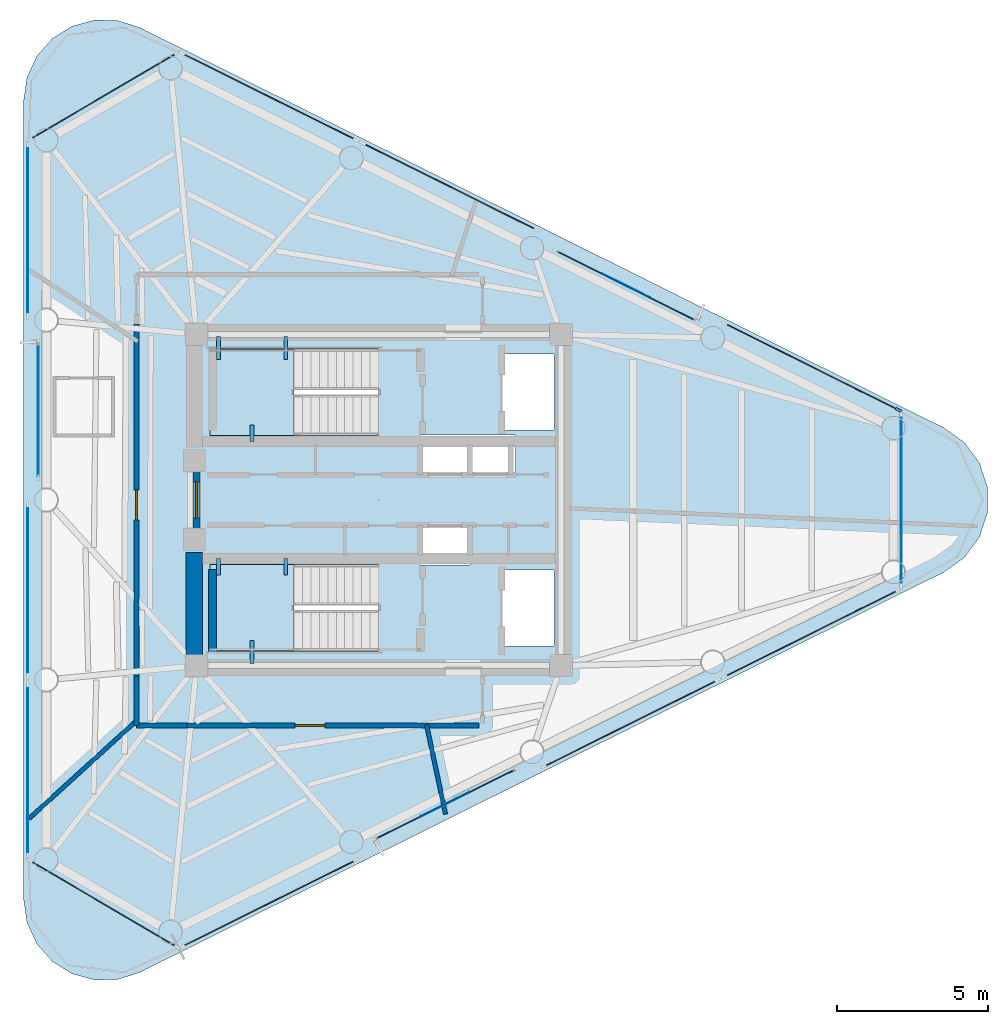
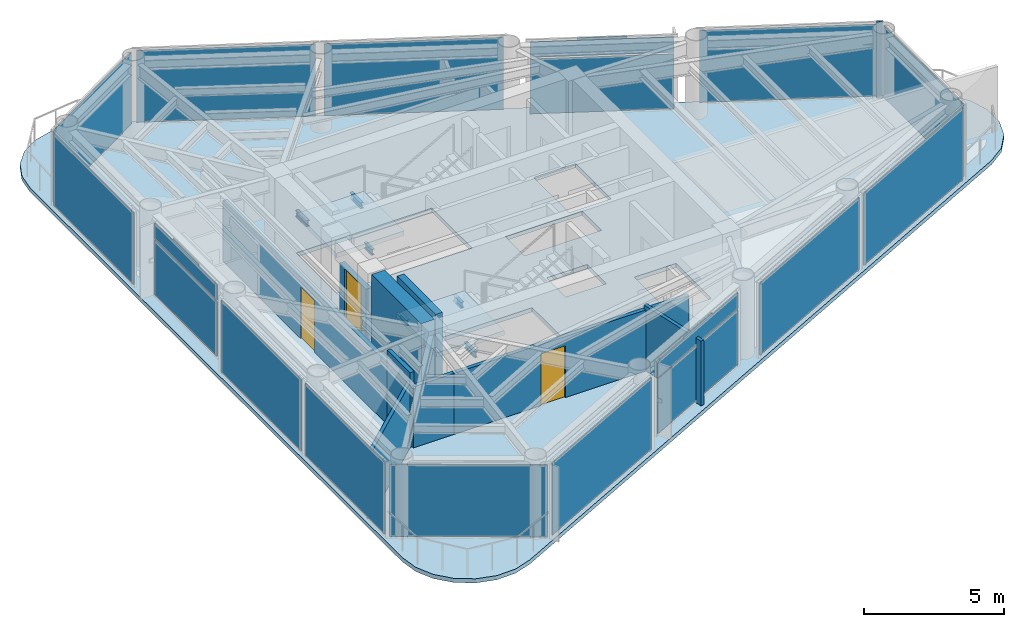
# One storey, part 4 of 10: 21 plates, 9 walls, 6 beams, 3 doors, 3 slabs, 1 member, 3 openings, 17 elements without a shape of their own.
"""IFC4 building model written with IfcOpenShell, lengths in metres."""

from ifc_helpers import new_model, si_unit, direction, frame, frame_2d, origin, origin_2d, place, context, subcontext, project, spatial, polyline, rectangle, i_section, outline, extrude, source, transform, mapped, material, layer, layer_set, material_profile, profile_set, type_object, element, fill, aggregate, save


model = new_model("IFC4")

# Units and contexts
model_context = context("Model", 3, precision=1e-05, world=origin(), true_north=direction((0.0, 1.0)))
body_context = subcontext(model_context, "Body", "Model", "MODEL_VIEW")
ifc_project = project(units=[si_unit("LENGTHUNIT", "METRE"), si_unit("AREAUNIT", "SQUARE_METRE"), si_unit("VOLUMEUNIT", "CUBIC_METRE"), si_unit("PLANEANGLEUNIT", "RADIAN"), si_unit("MASSUNIT", "GRAM", prefix="KILO")], contexts=[model_context])

# Site, building, storey
site_placement = place(None, origin())
site = spatial("IfcSite", under=ifc_project, at=site_placement, CompositionType="ELEMENT")
building_placement = place(site_placement, origin())
building = spatial("IfcBuilding", under=site, at=building_placement, Name="Yunling Apex Tower", CompositionType="ELEMENT")
storey_placement = place(building_placement, frame((0.0, 0.0, 289.85009765625)))
storey = spatial("IfcBuildingStorey", under=building, at=storey_placement, Name="L70", CompositionType="ELEMENT", Elevation=289.85009765625)

# Beams
ifc_material_1 = material(Name="Steel Q355B", Category="steel")
ifc_material_profile_1 = material_profile(ifc_material_1, i_section(OverallWidth=0.125, OverallDepth=0.25, WebThickness=0.006103515625, FlangeThickness=0.009033203125, FilletRadius=0.011962890625, at=origin_2d()))
ifc_profile_set_1 = profile_set([ifc_material_profile_1], Name="Steel Q355B")
beam_type = type_object("IfcBeamType", Name="BL-LNT-1", PredefinedType="LINTEL", material=ifc_profile_set_1)
shared_shape_1 = source(origin(), body_context, "Body", "SweptSolid", [
    extrude(i_section(OverallWidth=0.125, OverallDepth=0.25, WebThickness=0.006103515625, FlangeThickness=0.009033203125, FilletRadius=0.011962890625, at=origin_2d()), origin(), (0.0, 0.0, 1.0), 0.760009765625),
])
for number, where, z_axis, x_axis, name in (
    (1, (-5.320068359375, 5.419921875, 1.40478515625), (0.0, -1.0, 0.0), (1.0, 0.0, 0.0), "L70 ST-1 Landing Bearing Corbel 1-1"),
    (2, (-3.090087890625, 5.419921875, 1.40478515625), (0.0, -1.0, 0.0), (1.0, 0.0, 0.0), "L70 ST-1 Landing Bearing Corbel 1-2"),
    (3, (-4.205078125, -5.419921875, 1.40478515625), (0.0, 1.0, 0.0), (-1.0, 0.0, 0.0), "L70 ST-2 Landing Bearing Corbel 1-3"),
):
    element("IfcBeam", number, at=place(storey_placement, frame(where, z_axis=z_axis, x_axis=x_axis)), inside=storey, type_object=beam_type, Name=name, PredefinedType="LINTEL", context=body_context, shape_type="MappedRepresentation", body=[
        mapped(shared_shape_1, transform((0.0, 0.0, 0.0), scale=1.0)),
    ])
shared_shape_2 = source(origin(), body_context, "Body", "SweptSolid", [
    extrude(i_section(OverallWidth=0.125, OverallDepth=0.25, WebThickness=0.006103515625, FlangeThickness=0.009033203125, FilletRadius=0.011962890625, at=origin_2d()), origin(), (0.0, 0.0, 1.0), 0.550048828125),
])
for number, where, z_axis, x_axis, name in (
    (4, (-4.205078125, 1.93994140625, 1.40478515625), (0.0, 1.0, 0.0), (-1.0, 0.0, 0.0), "L70 ST-1 Landing Bearing Corbel 1-3"),
    (5, (-5.320068359375, -1.93994140625, 1.40478515625), (0.0, -1.0, 0.0), (1.0, 0.0, 0.0), "L70 ST-2 Landing Bearing Corbel 1-1"),
    (6, (-3.090087890625, -1.93994140625, 1.40478515625), (0.0, -1.0, 0.0), (1.0, 0.0, 0.0), "L70 ST-2 Landing Bearing Corbel 1-2"),
):
    element("IfcBeam", number, at=place(storey_placement, frame(where, z_axis=z_axis, x_axis=x_axis)), inside=storey, type_object=beam_type, Name=name, PredefinedType="LINTEL", context=body_context, shape_type="MappedRepresentation", body=[
        mapped(shared_shape_2, transform((0.0, 0.0, 0.0), scale=1.0)),
    ])

# Curtain wall, member
ifc_material_2 = material(Name="Bronze anodised aluminium", Category="aluminium")
ifc_layer_1 = layer(ifc_material_2, 0.219970703125)
ifc_layer_set_1 = layer_set([ifc_layer_1], Name="Bronze anodised aluminium")
curtain_wall_type = type_object("IfcCurtainWallType", Name="CW-SYS-4", PredefinedType="NOTDEFINED", material=ifc_layer_set_1)
curtain_wall_1_placement = place(storey_placement, origin())
curtain_wall_1 = element("IfcCurtainWall", 7, at=curtain_wall_1_placement, inside=storey, type_object=curtain_wall_type, Name="CW-L70-F2-B1", PredefinedType="NOTDEFINED")
ifc_material_profile_2 = material_profile(ifc_material_2, rectangle(XDim=0.080078125, YDim=0.219970703125, at=origin_2d()))
ifc_profile_set_2 = profile_set([ifc_material_profile_2], Name="Bronze anodised aluminium")
member_type = type_object("IfcMemberType", Name="CW-MUL-4", PredefinedType="MULLION", material=ifc_profile_set_2)
shared_shape_3 = source(origin(), body_context, "Body", "SweptSolid", [
    extrude(rectangle(XDim=0.080078125, YDim=0.219970703125, at=origin_2d()), origin(), (0.0, 0.0, 1.0), 3.369873046875),
])
member_placement = place(storey_placement, frame((17.2509765625, 2.990966796875, -0.050048828125), z_axis=(0.0, 0.0, 1.0), x_axis=(-0.445568135078, -0.895248030996, 0.0)))
member = element("IfcMember", 8, at=member_placement, type_object=member_type, Name="CW-SYS-4 mullion 1", PredefinedType="MULLION", context=body_context, shape_type="MappedRepresentation", body=[
    mapped(shared_shape_3, transform((0.0, 0.0, 0.0), scale=1.0)),
])

# Slab
ifc_material_3 = material(Name="Concrete C40", Category="concrete")
ifc_layer_2 = layer(ifc_material_3, 0.155029296875)
ifc_layer_set_2 = layer_set([ifc_layer_2], Name="Concrete C40")
slab_type_1 = type_object("IfcSlabType", Name="SL-FLR-3", PredefinedType="FLOOR", material=ifc_layer_set_2)
slab_1_placement = place(storey_placement, frame((0.0, 0.0, -0.18017578125)))
element("IfcSlab", 9, at=slab_1_placement, inside=storey, type_object=slab_type_1, Name="L70 Composite Tower Floor Slab", PredefinedType="FLOOR", context=body_context, shape_type="SweptSolid", body=[
    extrude(outline(polyline([(-11.787353515625, -13.2724609375), (-11.675048828125, -14.039794921875), (-11.347900390625, -14.742919921875), (-10.833251953125, -15.322998046875), (-10.173828125, -15.731201171875), (-9.42529296875, -15.93359375), (-8.650146484375, -15.913330078125), (-7.9130859375, -15.671875), (18.754150390625, -2.3994140625), (19.442138671875, -1.90771484375), (19.94287109375, -1.226318359375), (20.206298828125, -0.4228515625), (20.206298828125, 0.4228515625), (19.94287109375, 1.226318359375), (19.442138671875, 1.90771484375), (18.754150390625, 2.3994140625), (-7.9130859375, 15.671875), (-8.650146484375, 15.913330078125), (-9.42529296875, 15.93359375), (-10.173828125, 15.731201171875), (-10.833251953125, 15.322998046875), (-11.347900390625, 14.742919921875), (-11.675048828125, 14.039794921875), (-11.787353515625, 13.2724609375), (-11.787353515625, -13.2724609375)]), holes=[polyline([(4.090087890625, 4.840087890625), (5.81005859375, 4.840087890625), (5.81005859375, 2.320068359375), (4.090087890625, 2.320068359375), (4.090087890625, 4.840087890625)]), polyline([(4.090087890625, -4.840087890625), (4.090087890625, -2.320068359375), (5.81005859375, -2.320068359375), (5.81005859375, -4.840087890625), (4.090087890625, -4.840087890625)]), polyline([(4.534912109375, 0.794921875), (1.364990234375, 0.794921875), (1.364990234375, 2.1650390625), (4.534912109375, 2.1650390625), (4.534912109375, 0.794921875)]), polyline([(1.364990234375, -0.794921875), (3.034912109375, -0.794921875), (3.034912109375, -2.1650390625), (1.364990234375, -2.1650390625), (1.364990234375, -0.794921875)]), polyline([(-0.010009765625, -5.010009765625), (-5.60009765625, -5.010009765625), (-5.60009765625, -2.139892578125), (-0.010009765625, -2.139892578125), (-0.010009765625, -5.010009765625)]), polyline([(-0.010009765625, 2.139892578125), (-5.60009765625, 2.139892578125), (-5.60009765625, 5.010009765625), (-0.010009765625, 5.010009765625), (-0.010009765625, 2.139892578125)])]), origin(), (0.0, 0.0, 1.0), 0.18017578125),
])

# Stair, slab
stair_type = type_object("IfcStairType", Name="ST-TWR-3", PredefinedType="HALF_TURN_STAIR", material=ifc_material_3)
stair_1_placement = place(storey_placement, origin())
stair_1 = element("IfcStair", 10, at=stair_1_placement, inside=storey, type_object=stair_type, Name="L70 North Core Smokeproof Exit Stair ST-1", PredefinedType="HALF_TURN_STAIR")
ifc_layer_3 = layer(ifc_material_3, 0.195068359375)
ifc_layer_set_3 = layer_set([ifc_layer_3], Name="Concrete C40")
slab_type_2 = type_object("IfcSlabType", Name="SL-LND-1", PredefinedType="LANDING", material=ifc_layer_set_3)
slab_2_placement = place(storey_placement, frame((0.0, 0.0, 1.52978515625)))
slab_2 = element("IfcSlab", 11, at=slab_2_placement, type_object=slab_type_2, Name="ST-1 landing 1", PredefinedType="LANDING", context=body_context, shape_type="SweptSolid", body=[
    extrude(outline(polyline([(-2.81005859375, 5.010009765625), (-5.60009765625, 5.010009765625), (-5.60009765625, 2.139892578125), (-2.81005859375, 2.139892578125), (-2.81005859375, 5.010009765625)])), origin(), (0.0, 0.0, 1.0), 0.195068359375),
])
aggregate(stair_1, [slab_2])

stair_2_placement = place(storey_placement, origin())
stair_2 = element("IfcStair", 12, at=stair_2_placement, inside=storey, type_object=stair_type, Name="L70 South Core Smokeproof Exit Stair ST-2", PredefinedType="HALF_TURN_STAIR")
slab_3_placement = place(storey_placement, frame((0.0, 0.0, 1.52978515625)))
slab_3 = element("IfcSlab", 13, at=slab_3_placement, type_object=slab_type_2, Name="ST-2 landing 1", PredefinedType="LANDING", context=body_context, shape_type="SweptSolid", body=[
    extrude(outline(polyline([(-2.81005859375, -2.139892578125), (-5.60009765625, -2.139892578125), (-5.60009765625, -5.010009765625), (-2.81005859375, -5.010009765625), (-2.81005859375, -2.139892578125)])), origin(), (0.0, 0.0, 1.0), 0.195068359375),
])
aggregate(stair_2, [slab_3])

# Plates
ifc_layer_4 = layer(ifc_material_2, 0.011962890625)
ifc_layer_set_4 = layer_set([ifc_layer_4], Name="Bronze anodised aluminium")
plate_type_1 = type_object("IfcPlateType", Name="SP-SHT-1", PredefinedType="SHEET", material=ifc_layer_set_4)
shared_shape_4 = source(origin(), body_context, "Body", "SweptSolid", [
    extrude(rectangle(XDim=1.800048828125, YDim=0.02392578125, at=origin_2d()), origin(), (0.0, 0.0, 1.0), 0.43994140625),
])
for number, where, z_axis, x_axis, name in (
    (14, (2.20654296875, -10.09912109375, 2.869873046875), (0.0, 0.0, 1.0), (0.895245648325, 0.445572922377, 0.0), "SP-GRV-L70-F1"),
    (15, (8.206787109375, 7.11279296875, 2.869873046875), (0.0, 0.0, 1.0), (-0.895245648325, 0.445572922377, 0.0), "SP-GRV-L70-F2"),
    (16, (-11.307373046875, 2.986328125, 2.869873046875), (0.0, 0.0, 1.0), (0.0, -1.0, 0.0), "SP-GRV-L70-F3"),
):
    element("IfcPlate", number, at=place(storey_placement, frame(where, z_axis=z_axis, x_axis=x_axis)), inside=storey, type_object=plate_type_1, Name=name, PredefinedType="SHEET", context=body_context, shape_type="MappedRepresentation", body=[
        mapped(shared_shape_4, transform((0.0, 0.0, 0.0), scale=1.0)),
    ])

# Curtain wall, plate
curtain_wall_2_placement = place(storey_placement, origin())
curtain_wall_2 = element("IfcCurtainWall", 17, at=curtain_wall_2_placement, inside=storey, type_object=curtain_wall_type, Name="CW-L70-F1-B1", PredefinedType="NOTDEFINED")
ifc_material_4 = material(Name="Bronze tinted low-E glass", Category="glass")
ifc_layer_5 = layer(ifc_material_4, 0.030029296875)
ifc_layer_set_5 = layer_set([ifc_layer_5], Name="Bronze tinted low-E glass")
plate_type_2 = type_object("IfcPlateType", Name="CW-PNL-4", PredefinedType="CURTAIN_PANEL", material=ifc_layer_set_5)
shared_shape_5 = source(origin(), body_context, "Body", "SweptSolid", [
    extrude(rectangle(XDim=6.398193359375, YDim=0.030029296875, at=origin_2d()), origin(), (0.0, 0.0, 1.0), 3.1259765625),
])
plate_1_placement = place(storey_placement, frame((-3.64208984375, -13.3896484375, 0.072021484375), z_axis=(0.0, 0.0, 1.0), x_axis=(0.895248030996, 0.445568135078, 0.0)))
plate_1 = element("IfcPlate", 18, at=plate_1_placement, type_object=plate_type_2, Name="CW-SYS-4 panel 1.1", PredefinedType="CURTAIN_PANEL", context=body_context, shape_type="MappedRepresentation", body=[
    mapped(shared_shape_5, transform((0.0, 0.0, 0.0), scale=1.0)),
])
aggregate(curtain_wall_2, [plate_1])

curtain_wall_3_placement = place(storey_placement, origin())
curtain_wall_3 = element("IfcCurtainWall", 19, at=curtain_wall_3_placement, inside=storey, type_object=curtain_wall_type, Name="CW-L70-F1-B3", PredefinedType="NOTDEFINED")
plate_2_placement = place(storey_placement, frame((8.358154296875, -7.4169921875, 0.072021484375), z_axis=(0.0, 0.0, 1.0), x_axis=(0.895241933715, 0.445580385698, 0.0)))
plate_2 = element("IfcPlate", 20, at=plate_2_placement, type_object=plate_type_2, Name="CW-SYS-4 panel 1.1", PredefinedType="CURTAIN_PANEL", context=body_context, shape_type="MappedRepresentation", body=[
    mapped(shared_shape_5, transform((0.0, 0.0, 0.0), scale=1.0)),
])
aggregate(curtain_wall_3, [plate_2])

curtain_wall_4_placement = place(storey_placement, origin())
curtain_wall_4 = element("IfcCurtainWall", 21, at=curtain_wall_4_placement, inside=storey, type_object=curtain_wall_type, Name="CW-L70-F1-B4", PredefinedType="NOTDEFINED")
plate_3_placement = place(storey_placement, frame((14.358154296875, -4.4306640625, 0.072021484375), z_axis=(0.0, 0.0, 1.0), x_axis=(0.895248030996, 0.445568135078, 0.0)))
plate_3 = element("IfcPlate", 22, at=plate_3_placement, type_object=plate_type_2, Name="CW-SYS-4 panel 1.1", PredefinedType="CURTAIN_PANEL", context=body_context, shape_type="MappedRepresentation", body=[
    mapped(shared_shape_5, transform((0.0, 0.0, 0.0), scale=1.0)),
])
aggregate(curtain_wall_4, [plate_3])

# Plate
plate_4_placement = place(storey_placement, frame((14.358154296875, 4.4306640625, 0.072021484375), z_axis=(0.0, 0.0, 1.0), x_axis=(-0.895248030996, 0.445568135078, 0.0)))
plate_4 = element("IfcPlate", 23, at=plate_4_placement, type_object=plate_type_2, Name="CW-SYS-4 panel 1.1", PredefinedType="CURTAIN_PANEL", context=body_context, shape_type="MappedRepresentation", body=[
    mapped(shared_shape_5, transform((0.0, 0.0, 0.0), scale=1.0)),
])

aggregate(curtain_wall_1, [member, plate_4])

# Curtain wall, plate
curtain_wall_5_placement = place(storey_placement, origin())
curtain_wall_5 = element("IfcCurtainWall", 24, at=curtain_wall_5_placement, inside=storey, type_object=curtain_wall_type, Name="CW-L70-F2-B3", PredefinedType="NOTDEFINED")
plate_5_placement = place(storey_placement, frame((2.35791015625, 10.4033203125, 0.072021484375), z_axis=(0.0, 0.0, 1.0), x_axis=(-0.895251065549, 0.445562037917, 0.0)))
plate_5 = element("IfcPlate", 25, at=plate_5_placement, type_object=plate_type_2, Name="CW-SYS-4 panel 1.1", PredefinedType="CURTAIN_PANEL", context=body_context, shape_type="MappedRepresentation", body=[
    mapped(shared_shape_5, transform((0.0, 0.0, 0.0), scale=1.0)),
])
aggregate(curtain_wall_5, [plate_5])

curtain_wall_6_placement = place(storey_placement, origin())
curtain_wall_6 = element("IfcCurtainWall", 26, at=curtain_wall_6_placement, inside=storey, type_object=curtain_wall_type, Name="CW-L70-F2-B4", PredefinedType="NOTDEFINED")
plate_6_placement = place(storey_placement, frame((-3.64208984375, 13.3896484375, 0.072021484375), z_axis=(0.0, 0.0, 1.0), x_axis=(-0.895248030996, 0.445568135078, 0.0)))
plate_6 = element("IfcPlate", 27, at=plate_6_placement, type_object=plate_type_2, Name="CW-SYS-4 panel 1.1", PredefinedType="CURTAIN_PANEL", context=body_context, shape_type="MappedRepresentation", body=[
    mapped(shared_shape_5, transform((0.0, 0.0, 0.0), scale=1.0)),
])
aggregate(curtain_wall_6, [plate_6])

curtain_wall_7_placement = place(storey_placement, origin())
curtain_wall_7 = element("IfcCurtainWall", 28, at=curtain_wall_7_placement, inside=storey, type_object=curtain_wall_type, Name="CW-L70-F1-B2", PredefinedType="NOTDEFINED")
shared_shape_6 = source(origin(), body_context, "Body", "SweptSolid", [
    extrude(rectangle(XDim=5.158203125, YDim=0.030029296875, at=origin_2d()), origin(), (0.0, 0.0, 1.0), 2.381103515625),
])
plate_7_placement = place(storey_placement, frame((2.20654296875, -10.09912109375, 0.07177734375), z_axis=(0.0, 0.0, 1.0), x_axis=(0.895251720611, 0.445560721723, 0.0)))
plate_7 = element("IfcPlate", 29, at=plate_7_placement, type_object=plate_type_2, Name="CW-SYS-4 panel 1.1", PredefinedType="CURTAIN_PANEL", context=body_context, shape_type="MappedRepresentation", body=[
    mapped(shared_shape_6, transform((0.0, 0.0, 0.0), scale=1.0)),
])

curtain_wall_8_placement = place(storey_placement, origin())
curtain_wall_8 = element("IfcCurtainWall", 30, at=curtain_wall_8_placement, inside=storey, type_object=curtain_wall_type, Name="CW-L70-F2-B2", PredefinedType="NOTDEFINED")
plate_8_placement = place(storey_placement, frame((8.206787109375, 7.11279296875, 0.07177734375), z_axis=(0.0, 0.0, 1.0), x_axis=(-0.895240453185, 0.445583360305, 0.0)))
plate_8 = element("IfcPlate", 31, at=plate_8_placement, type_object=plate_type_2, Name="CW-SYS-4 panel 1.1", PredefinedType="CURTAIN_PANEL", context=body_context, shape_type="MappedRepresentation", body=[
    mapped(shared_shape_6, transform((0.0, 0.0, 0.0), scale=1.0)),
])

# Plate
shared_shape_7 = source(origin(), body_context, "Body", "SweptSolid", [
    extrude(rectangle(XDim=5.158203125, YDim=0.030029296875, at=origin_2d()), origin(), (0.0, 0.0, 1.0), 0.680908203125),
])
plate_9_placement = place(storey_placement, frame((2.20654296875, -10.09912109375, 2.51708984375), z_axis=(0.0, 0.0, 1.0), x_axis=(0.895251720611, 0.445560721723, 0.0)))
plate_9 = element("IfcPlate", 32, at=plate_9_placement, type_object=plate_type_2, Name="CW-SYS-4 panel 1.2", PredefinedType="CURTAIN_PANEL", context=body_context, shape_type="MappedRepresentation", body=[
    mapped(shared_shape_7, transform((0.0, 0.0, 0.0), scale=1.0)),
])

aggregate(curtain_wall_7, [plate_7, plate_9])

plate_10_placement = place(storey_placement, frame((8.206787109375, 7.11279296875, 2.51708984375), z_axis=(0.0, 0.0, 1.0), x_axis=(-0.895240453185, 0.445583360305, 0.0)))
plate_10 = element("IfcPlate", 33, at=plate_10_placement, type_object=plate_type_2, Name="CW-SYS-4 panel 1.2", PredefinedType="CURTAIN_PANEL", context=body_context, shape_type="MappedRepresentation", body=[
    mapped(shared_shape_7, transform((0.0, 0.0, 0.0), scale=1.0)),
])

aggregate(curtain_wall_8, [plate_8, plate_10])

# Curtain wall, plate
curtain_wall_9_placement = place(storey_placement, origin())
curtain_wall_9 = element("IfcCurtainWall", 34, at=curtain_wall_9_placement, inside=storey, type_object=curtain_wall_type, Name="CW-L70-CRN1", PredefinedType="NOTDEFINED")
shared_shape_8 = source(origin(), body_context, "Body", "SweptSolid", [
    extrude(rectangle(XDim=5.6953125, YDim=0.030029296875, at=origin_2d()), origin(), (0.0, 0.0, 1.0), 3.1259765625),
])
plate_11_placement = place(storey_placement, frame((17.349365234375, 0.0, 0.072021484375), z_axis=(0.0, 0.0, 1.0), x_axis=(0.0, 1.0, 0.0)))
plate_11 = element("IfcPlate", 35, at=plate_11_placement, type_object=plate_type_2, Name="CW-SYS-4 panel 1.1", PredefinedType="CURTAIN_PANEL", context=body_context, shape_type="MappedRepresentation", body=[
    mapped(shared_shape_8, transform((0.0, 0.0, 0.0), scale=1.0)),
])
aggregate(curtain_wall_9, [plate_11])

curtain_wall_10_placement = place(storey_placement, origin())
curtain_wall_10 = element("IfcCurtainWall", 36, at=curtain_wall_10_placement, inside=storey, type_object=curtain_wall_type, Name="CW-L70-CRN2", PredefinedType="NOTDEFINED")
shared_shape_9 = source(origin(), body_context, "Body", "SweptSolid", [
    extrude(rectangle(XDim=5.62548828125, YDim=0.030029296875, at=origin_2d()), origin(), (0.0, 0.0, 1.0), 3.1259765625),
])
plate_12_placement = place(storey_placement, frame((-9.13916015625, 13.405029296875, 0.072021484375), z_axis=(0.0, 0.0, 1.0), x_axis=(-0.862499991399, -0.506057076658, 0.0)))
plate_12 = element("IfcPlate", 37, at=plate_12_placement, type_object=plate_type_2, Name="CW-SYS-4 panel 1.1", PredefinedType="CURTAIN_PANEL", context=body_context, shape_type="MappedRepresentation", body=[
    mapped(shared_shape_9, transform((0.0, 0.0, 0.0), scale=1.0)),
])
aggregate(curtain_wall_10, [plate_12])

curtain_wall_11_placement = place(storey_placement, origin())
curtain_wall_11 = element("IfcCurtainWall", 38, at=curtain_wall_11_placement, inside=storey, type_object=curtain_wall_type, Name="CW-L70-CRN3", PredefinedType="NOTDEFINED")
plate_13_placement = place(storey_placement, frame((-9.13916015625, -13.405029296875, 0.072021484375), z_axis=(0.0, 0.0, 1.0), x_axis=(0.862492426173, -0.506069970256, 0.0)))
plate_13 = element("IfcPlate", 39, at=plate_13_placement, type_object=plate_type_2, Name="CW-SYS-4 panel 1.1", PredefinedType="CURTAIN_PANEL", context=body_context, shape_type="MappedRepresentation", body=[
    mapped(shared_shape_9, transform((0.0, 0.0, 0.0), scale=1.0)),
])
aggregate(curtain_wall_11, [plate_13])

curtain_wall_12_placement = place(storey_placement, origin())
curtain_wall_12 = element("IfcCurtainWall", 40, at=curtain_wall_12_placement, inside=storey, type_object=curtain_wall_type, Name="CW-L70-F3-B1", PredefinedType="NOTDEFINED")
shared_shape_10 = source(origin(), body_context, "Body", "SweptSolid", [
    extrude(rectangle(XDim=5.668701171875, YDim=0.030029296875, at=origin_2d()), origin(), (0.0, 0.0, 1.0), 3.1259765625),
])
plate_14_placement = place(storey_placement, frame((-11.647216796875, 8.958984375, 0.072021484375), z_axis=(0.0, 0.0, 1.0), x_axis=(0.0, -1.0, 0.0)))
plate_14 = element("IfcPlate", 41, at=plate_14_placement, type_object=plate_type_2, Name="CW-SYS-4 panel 1.1", PredefinedType="CURTAIN_PANEL", context=body_context, shape_type="MappedRepresentation", body=[
    mapped(shared_shape_10, transform((0.0, 0.0, 0.0), scale=1.0)),
])
aggregate(curtain_wall_12, [plate_14])

curtain_wall_13_placement = place(storey_placement, origin())
curtain_wall_13 = element("IfcCurtainWall", 42, at=curtain_wall_13_placement, inside=storey, type_object=curtain_wall_type, Name="CW-L70-F3-B3", PredefinedType="NOTDEFINED")
plate_15_placement = place(storey_placement, frame((-11.647216796875, -2.986328125, 0.072021484375), z_axis=(0.0, 0.0, 1.0), x_axis=(0.0, -1.0, 0.0)))
plate_15 = element("IfcPlate", 43, at=plate_15_placement, type_object=plate_type_2, Name="CW-SYS-4 panel 1.1", PredefinedType="CURTAIN_PANEL", context=body_context, shape_type="MappedRepresentation", body=[
    mapped(shared_shape_10, transform((0.0, 0.0, 0.0), scale=1.0)),
])
aggregate(curtain_wall_13, [plate_15])

curtain_wall_14_placement = place(storey_placement, origin())
curtain_wall_14 = element("IfcCurtainWall", 44, at=curtain_wall_14_placement, inside=storey, type_object=curtain_wall_type, Name="CW-L70-F3-B4", PredefinedType="NOTDEFINED")
plate_16_placement = place(storey_placement, frame((-11.647216796875, -8.958984375, 0.072021484375), z_axis=(0.0, 0.0, 1.0), x_axis=(0.0, -1.0, 0.0)))
plate_16 = element("IfcPlate", 45, at=plate_16_placement, type_object=plate_type_2, Name="CW-SYS-4 panel 1.1", PredefinedType="CURTAIN_PANEL", context=body_context, shape_type="MappedRepresentation", body=[
    mapped(shared_shape_10, transform((0.0, 0.0, 0.0), scale=1.0)),
])
aggregate(curtain_wall_14, [plate_16])

# Curtain wall, plates
curtain_wall_15_placement = place(storey_placement, origin())
curtain_wall_15 = element("IfcCurtainWall", 46, at=curtain_wall_15_placement, inside=storey, type_object=curtain_wall_type, Name="CW-L70-F3-B2", PredefinedType="NOTDEFINED")
shared_shape_11 = source(origin(), body_context, "Body", "SweptSolid", [
    extrude(rectangle(XDim=4.4287109375, YDim=0.030029296875, at=origin_2d()), origin(), (0.0, 0.0, 1.0), 2.381103515625),
])
plate_17_placement = place(storey_placement, frame((-11.307373046875, 2.986328125, 0.07177734375), z_axis=(0.0, 0.0, 1.0), x_axis=(0.0, -1.0, 0.0)))
plate_17 = element("IfcPlate", 47, at=plate_17_placement, type_object=plate_type_2, Name="CW-SYS-4 panel 1.1", PredefinedType="CURTAIN_PANEL", context=body_context, shape_type="MappedRepresentation", body=[
    mapped(shared_shape_11, transform((0.0, 0.0, 0.0), scale=1.0)),
])
shared_shape_12 = source(origin(), body_context, "Body", "SweptSolid", [
    extrude(rectangle(XDim=4.4287109375, YDim=0.030029296875, at=origin_2d()), origin(), (0.0, 0.0, 1.0), 0.680908203125),
])
plate_18_placement = place(storey_placement, frame((-11.307373046875, 2.986328125, 2.51708984375), z_axis=(0.0, 0.0, 1.0), x_axis=(0.0, -1.0, 0.0)))
plate_18 = element("IfcPlate", 48, at=plate_18_placement, type_object=plate_type_2, Name="CW-SYS-4 panel 1.2", PredefinedType="CURTAIN_PANEL", context=body_context, shape_type="MappedRepresentation", body=[
    mapped(shared_shape_12, transform((0.0, 0.0, 0.0), scale=1.0)),
])
aggregate(curtain_wall_15, [plate_17, plate_18])

# Walls
ifc_layer_6 = layer(ifc_material_3, 0.550048828125)
ifc_layer_set_6 = layer_set([ifc_layer_6], Name="Concrete C40")
wall_type_1 = type_object("IfcWallType", Name="WL-COR-3", PredefinedType="SHEAR", material=ifc_layer_set_6)
wall_1_placement = place(storey_placement, frame((-6.125, -5.300048828125, 0.0), z_axis=(0.0, 0.0, 1.0), x_axis=(0.0, 1.0, 0.0)))
element("IfcWall", 49, at=wall_1_placement, inside=storey, type_object=wall_type_1, Name="L70 West-South Core Shear Wall", PredefinedType="SHEAR", context=body_context, shape_type="SweptSolid", body=[
    extrude(rectangle(XDim=3.550048828125, YDim=0.550048828125, at=frame_2d((1.77490234375, 0.0))), origin(), (0.0, 0.0, 1.0), 3.449951171875),
])
ifc_layer_7 = layer(ifc_material_3, 0.280029296875)
ifc_layer_set_7 = layer_set([ifc_layer_7], Name="Concrete C40")
wall_type_2 = type_object("IfcWallType", Name="WL-COR-8", PredefinedType="SHEAR", material=ifc_layer_set_7)
wall_2_placement = place(storey_placement, frame((-5.52001953125, -5.050048828125, 0.0), z_axis=(0.0, 0.0, 1.0), x_axis=(0.0, 1.0, 0.0)))
element("IfcWall", 50, at=wall_2_placement, inside=storey, type_object=wall_type_2, Name="L70 ST-2 West Landing Bearing Wall", PredefinedType="SHEAR", context=body_context, shape_type="SweptSolid", body=[
    extrude(rectangle(XDim=2.75, YDim=0.280029296875, at=frame_2d((1.375, 0.0))), origin(), (0.0, 0.0, 1.0), 3.449951171875),
])

# Wall, opening, door
ifc_material_5 = material(Name="Gypsum board acoustic partition")
ifc_layer_8 = layer(ifc_material_5, 0.159912109375)
ifc_layer_set_8 = layer_set([ifc_layer_8], Name="Gypsum board acoustic partition")
wall_type_3 = type_object("IfcWallType", Name="WL-PRT-1", PredefinedType="PARTITIONING", material=ifc_layer_set_8)
wall_3_placement = place(storey_placement, frame((3.319091796875, -7.489990234375, 0.0), z_axis=(0.0, 0.0, 1.0), x_axis=(-1.0, 0.0, 0.0)))
wall_3 = element("IfcWall", 51, at=wall_3_placement, inside=storey, type_object=wall_type_3, Name="WL-CORR-L70-06", PredefinedType="PARTITIONING", context=body_context, shape_type="SweptSolid", body=[
    extrude(rectangle(XDim=9.67919921875, YDim=0.159912109375, at=frame_2d((4.839599609375, 0.0))), origin(), (0.0, 0.0, 1.0), 2.65478515625),
])
opening_1_placement = place(wall_3_placement, frame((5.101318359375, 0.0, 0.0)))
opening_1 = element("IfcOpeningElement", 52, at=opening_1_placement, cuts=wall_3, Name="Opening DR-OFF-1", PredefinedType="OPENING", context=body_context, shape_type="SweptSolid", body=[
    extrude(rectangle(XDim=1.0, YDim=2.25, at=frame_2d((0.5, 1.125))), frame((0.0, 0.08984375, 0.0), z_axis=(0.0, -1.0, 0.0), x_axis=(1.0, 0.0, 0.0)), (0.0, 0.0, 1.0), 0.179931640625),
])
door_type_1 = type_object("IfcDoorType", Name="DR-OFF-1", OperationType="NOTDEFINED", PredefinedType="DOOR", material=ifc_material_2)
door_1_placement = place(opening_1_placement, origin())
door_1 = element("IfcDoor", 53, at=door_1_placement, inside=storey, type_object=door_type_1, Name="L70 Residents Reading Lounge Door", OperationType="SINGLE_SWING_LEFT", OverallHeight=2.25, OverallWidth=1.0, PredefinedType="DOOR", context=body_context, shape_type="SweptSolid", body=[
    extrude(rectangle(XDim=1.0, YDim=2.25, at=frame_2d((0.5, 1.125))), frame((0.0, 0.02490234375, 0.0), z_axis=(0.0, -1.0, 0.0), x_axis=(1.0, 0.0, 0.0)), (0.0, 0.0, 1.0), 0.050048828125),
])
fill(opening_1, door_1)

# Walls
wall_4_placement = place(storey_placement, frame((-6.360107421875, -7.489990234375, 0.0), z_axis=(0.0, 0.0, 1.0), x_axis=(-1.0, 0.0, 0.0)))
element("IfcWall", 54, at=wall_4_placement, inside=storey, type_object=wall_type_3, Name="WL-CORR-L70-07", PredefinedType="PARTITIONING", context=body_context, shape_type="SweptSolid", body=[
    extrude(rectangle(XDim=1.679931640625, YDim=0.159912109375, at=frame_2d((0.83984375, 0.0))), origin(), (0.0, 0.0, 1.0), 2.65478515625),
])
wall_5_placement = place(storey_placement, frame((-8.0400390625, -7.489990234375, 0.0), z_axis=(0.0, 0.0, 1.0), x_axis=(0.0, 1.0, 0.0)))
element("IfcWall", 55, at=wall_5_placement, inside=storey, type_object=wall_type_3, Name="WL-CORR-L70-08", PredefinedType="PARTITIONING", context=body_context, shape_type="SweptSolid", body=[
    extrude(rectangle(XDim=1.639892578125, YDim=0.159912109375, at=frame_2d((0.81982421875, 0.0))), origin(), (0.0, 0.0, 1.0), 3.25),
])

# Wall, opening, door
wall_6_placement = place(storey_placement, frame((-8.0400390625, -5.85009765625, 0.0), z_axis=(0.0, 0.0, 1.0), x_axis=(0.0, 1.0, 0.0)))
wall_6 = element("IfcWall", 56, at=wall_6_placement, inside=storey, type_object=wall_type_3, Name="WL-CORR-L70-09", PredefinedType="PARTITIONING", context=body_context, shape_type="SweptSolid", body=[
    extrude(rectangle(XDim=11.7001953125, YDim=0.159912109375, at=frame_2d((5.85009765625, 0.0))), origin(), (0.0, 0.0, 1.0), 2.65478515625),
])
opening_2_placement = place(wall_6_placement, frame((5.188720703125, 0.0, 0.0)))
opening_2 = element("IfcOpeningElement", 57, at=opening_2_placement, cuts=wall_6, Name="Opening DR-OFF-1", PredefinedType="OPENING", context=body_context, shape_type="SweptSolid", body=[
    extrude(rectangle(XDim=1.0, YDim=2.25, at=frame_2d((0.5, 1.125))), frame((0.0, 0.08984375, 0.0), z_axis=(0.0, -1.0, 0.0), x_axis=(1.0, 0.0, 0.0)), (0.0, 0.0, 1.0), 0.179931640625),
])
door_2_placement = place(opening_2_placement, origin())
door_2 = element("IfcDoor", 58, at=door_2_placement, inside=storey, type_object=door_type_1, Name="L70 Parcel Archive Store Door", OperationType="SINGLE_SWING_RIGHT", OverallHeight=2.25, OverallWidth=1.0, PredefinedType="DOOR", context=body_context, shape_type="SweptSolid", body=[
    extrude(rectangle(XDim=1.0, YDim=2.25, at=frame_2d((0.5, 1.125))), frame((0.0, 0.02490234375, 0.0), z_axis=(0.0, -1.0, 0.0), x_axis=(1.0, 0.0, 0.0)), (0.0, 0.0, 1.0), 0.050048828125),
])
fill(opening_2, door_2)

# Walls
ifc_layer_9 = layer(ifc_material_5, 0.139892578125)
ifc_layer_set_9 = layer_set([ifc_layer_9], Name="Gypsum board acoustic partition")
wall_type_4 = type_object("IfcWallType", Name="WL-PRT-2", PredefinedType="PARTITIONING", material=ifc_layer_set_9)
wall_7_placement = place(storey_placement, frame((-8.0, -7.2880859375, 0.0), z_axis=(0.0, 0.0, 1.0), x_axis=(-0.739260540131, -0.673419522886, 0.0)))
element("IfcWall", 59, at=wall_7_placement, inside=storey, type_object=wall_type_4, Name="WL-RAD-L70-04", PredefinedType="PARTITIONING", context=body_context, shape_type="SweptSolid", body=[
    extrude(rectangle(XDim=4.8798828125, YDim=0.139892578125, at=frame_2d((2.43994140625, 0.0))), origin(), (0.0, 0.0, 1.0), 2.81494140625),
])
wall_8_placement = place(storey_placement, frame((1.58349609375, -7.449951171875, 0.0), z_axis=(0.0, 0.0, 1.0), x_axis=(0.207941206443, -0.978141326529, 0.0)))
element("IfcWall", 60, at=wall_8_placement, inside=storey, type_object=wall_type_4, Name="WL-RAD-L70-05", PredefinedType="PARTITIONING", context=body_context, shape_type="SweptSolid", body=[
    extrude(rectangle(XDim=3.045654296875, YDim=0.139892578125, at=frame_2d((1.52294921875, 0.0))), origin(), (0.0, 0.0, 1.0), 2.81494140625),
])

# Wall, opening, door
ifc_material_6 = material(Name="Autoclaved aerated concrete masonry", Category="masonry")
ifc_layer_10 = layer(ifc_material_6, 0.219970703125)
ifc_layer_set_10 = layer_set([ifc_layer_10], Name="Autoclaved aerated concrete masonry")
wall_type_5 = type_object("IfcWallType", Name="WL-SHF-1", PredefinedType="PLUMBINGWALL", material=ifc_layer_set_10)
wall_9_placement = place(storey_placement, frame((-6.050048828125, -0.949951171875, 0.0), z_axis=(0.0, 0.0, 1.0), x_axis=(0.0, 1.0, 0.0)))
wall_9 = element("IfcWall", 61, at=wall_9_placement, inside=storey, type_object=wall_type_5, Name="WL-COR-WPORT-L70", PredefinedType="PLUMBINGWALL", context=body_context, shape_type="SweptSolid", body=[
    extrude(rectangle(XDim=1.89990234375, YDim=0.219970703125, at=frame_2d((0.949951171875, 0.0))), origin(), (0.0, 0.0, 1.0), 2.22998046875),
])
opening_3_placement = place(wall_9_placement, frame((0.35009765625, 0.0, 0.0)))
opening_3 = element("IfcOpeningElement", 62, at=opening_3_placement, cuts=wall_9, Name="Opening DR-FFL-1", PredefinedType="OPENING", context=body_context, shape_type="SweptSolid", body=[
    extrude(rectangle(XDim=1.199951171875, YDim=2.199951171875, at=frame_2d((0.60009765625, 1.10009765625))), frame((0.0, 0.1201171875, 0.0), z_axis=(0.0, -1.0, 0.0), x_axis=(1.0, 0.0, 0.0)), (0.0, 0.0, 1.0), 0.239990234375),
])
door_type_2 = type_object("IfcDoorType", Name="DR-FFL-1", OperationType="NOTDEFINED", PredefinedType="DOOR", material=ifc_material_1)
door_3_placement = place(opening_3_placement, origin())
door_3 = element("IfcDoor", 63, at=door_3_placement, inside=storey, type_object=door_type_2, Name="L70 Passenger Lift Lobby Entrance Door", OperationType="SINGLE_SWING_RIGHT", OverallHeight=2.199951171875, OverallWidth=1.199951171875, PredefinedType="DOOR", context=body_context, shape_type="SweptSolid", body=[
    extrude(rectangle(XDim=1.199951171875, YDim=2.199951171875, at=frame_2d((0.60009765625, 1.10009765625))), frame((0.0, 0.02490234375, 0.0), z_axis=(0.0, -1.0, 0.0), x_axis=(1.0, 0.0, 0.0)), (0.0, 0.0, 1.0), 0.050048828125),
])
fill(opening_3, door_3)

save(model, "model.ifc")
